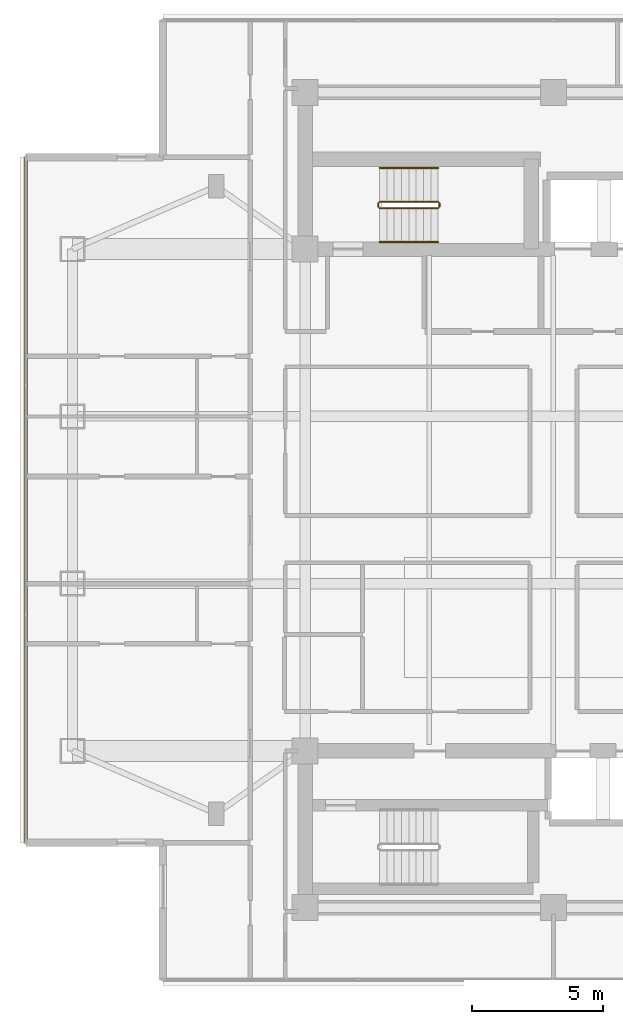
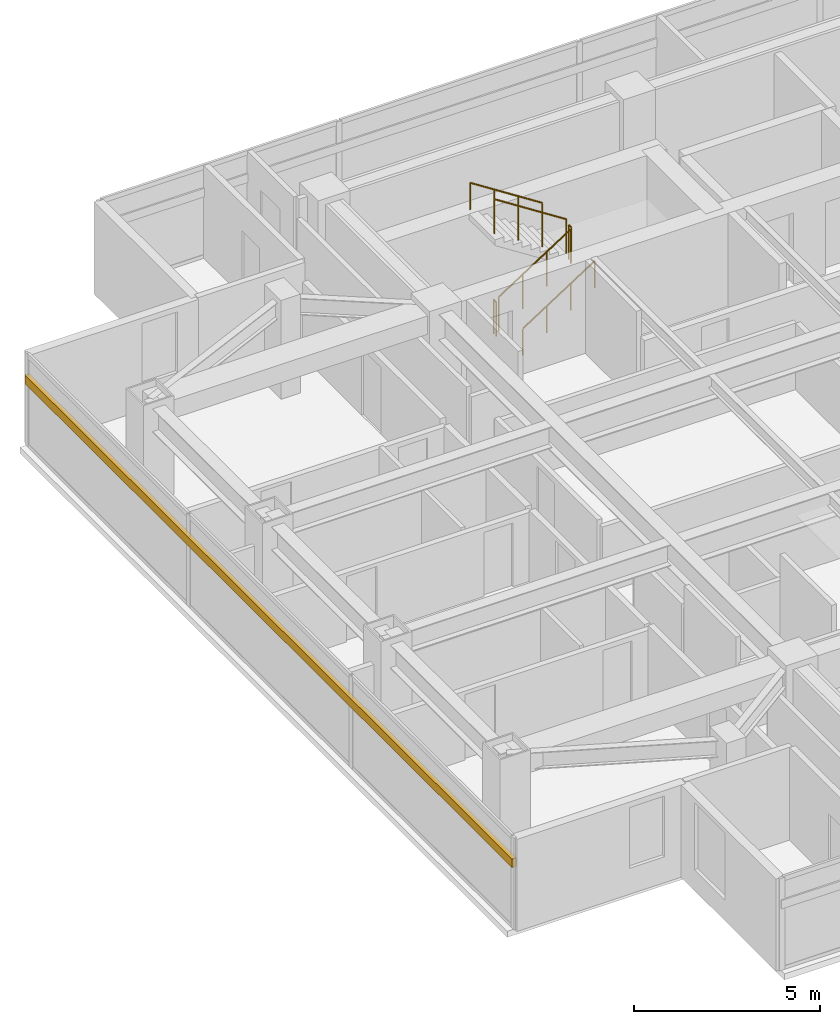
# One storey, part 20 of 24: 6 railings, 1 shading device.
"""IFC4 building model written with IfcOpenShell, lengths in metres."""

from ifc_helpers import new_model, si_unit, direction, frame, origin, origin_2d, place, context, subcontext, project, spatial, rectangle, circle, extrude, material, material_profile, profile_set, type_object, element, save


model = new_model("IFC4")

# Units and contexts
model_context = context("Model", 3, precision=1e-05, world=origin(), true_north=direction((0.0, 1.0)))
body_context = subcontext(model_context, "Body", "Model", "MODEL_VIEW")
ifc_project = project(units=[si_unit("LENGTHUNIT", "METRE"), si_unit("AREAUNIT", "SQUARE_METRE"), si_unit("VOLUMEUNIT", "CUBIC_METRE"), si_unit("PLANEANGLEUNIT", "RADIAN"), si_unit("MASSUNIT", "GRAM", prefix="KILO")], contexts=[model_context])

# Site, building, storey
site_placement = place(None, origin())
site = spatial("IfcSite", under=ifc_project, at=site_placement, CompositionType="ELEMENT")
building_placement = place(site_placement, origin())
building = spatial("IfcBuilding", under=site, at=building_placement, Name="Mirazonda Arch Towers", CompositionType="ELEMENT")
storey_placement = place(building_placement, frame((0.0, 0.0, 160.89990234375)))
storey = spatial("IfcBuildingStorey", under=building, at=storey_placement, Name="L45", CompositionType="ELEMENT", Elevation=160.89990234375)

# Shading device
ifc_material_1 = material(Name="Kiln-Fired Architectural Terracotta", Category="masonry")
ifc_material_profile = material_profile(ifc_material_1, rectangle(XDim=0.139892578125, YDim=0.280029296875, at=origin_2d()), Name="TERRA-BAG-140x280")
ifc_profile_set = profile_set([ifc_material_profile], Name="Kiln-Fired Architectural Terracotta")
shading_device_type = type_object("IfcShadingDeviceType", Name="BAGUETTE-3", PredefinedType="USERDEFINED", material=ifc_profile_set)
shading_device_placement = place(storey_placement, frame((0.31005859375, 41.12109375, 2.181640625), z_axis=(0.0, -1.0, 0.0), x_axis=(1.0, 0.0, 0.0)))
element("IfcShadingDevice", 1, at=shading_device_placement, inside=storey, type_object=shading_device_type, Name="L45 Glazed Terracotta Sun-Screen Baguette CW-L45-T1-W", ObjectType="BAGUETTE", PredefinedType="USERDEFINED", context=body_context, shape_type="SweptSolid", body=[
    extrude(rectangle(XDim=0.139892578125, YDim=0.280029296875, at=origin_2d()), origin(), (0.0, 0.0, 1.0), 26.2421875),
])

# Railings
ifc_material_2 = material(Name="Architectural Brushed Steel S355", Category="steel")
railing_type_1 = type_object("IfcRailingType", Name="GUARD-STAIR-1120", PredefinedType="GUARDRAIL", material=ifc_material_2)
railing_1_placement = place(storey_placement, frame((13.85009765625, 39.169921875, 0.1806640625)))
element("IfcRailing", 2, at=railing_1_placement, inside=storey, type_object=railing_type_1, Name="L45 ST-T1N stair guard 1", PredefinedType="GUARDRAIL", context=body_context, shape_type="SweptSolid", body=[
    extrude(circle(Radius=0.02392578125, at=origin_2d()), frame((0.0, 0.0, 1.1259765625), z_axis=(0.840436612492, 0.0, 0.541909863706), x_axis=(0.0, 1.0, 0.0)), (0.0, 0.0, 1.0), 2.665283203125),
    extrude(circle(Radius=0.02099609375, at=origin_2d()), origin(), (0.0, 0.0, 1.0), 1.101806640625),
    extrude(circle(Radius=0.02099609375, at=origin_2d()), frame((0.74658203125, 0.0, 0.4814453125)), (0.0, 0.0, 1.0), 1.101806640625),
    extrude(circle(Radius=0.02099609375, at=origin_2d()), frame((1.493408203125, 0.0, 0.962890625)), (0.0, 0.0, 1.0), 1.101806640625),
    extrude(circle(Radius=0.02099609375, at=origin_2d()), frame((2.239990234375, 0.0, 1.4443359375)), (0.0, 0.0, 1.0), 1.101806640625),
])
railing_2_placement = place(storey_placement, frame((16.139892578125, 39.219970703125, 1.625)))
element("IfcRailing", 3, at=railing_2_placement, inside=storey, type_object=railing_type_1, Name="L45 ST-T1N stair guard 2", PredefinedType="GUARDRAIL", context=body_context, shape_type="SweptSolid", body=[
    extrude(circle(Radius=0.02392578125, at=origin_2d()), frame((0.0, 0.0, 1.1259765625), z_axis=(0.0, 1.0, 0.0), x_axis=(-1.0, 0.0, 0.0)), (0.0, 0.0, 1.0), 0.14013671875),
    extrude(circle(Radius=0.02099609375, at=origin_2d()), origin(), (0.0, 0.0, 1.0), 1.101806640625),
    extrude(circle(Radius=0.02099609375, at=origin_2d()), frame((0.0, 0.14013671875, 0.0)), (0.0, 0.0, 1.0), 1.101806640625),
])
railing_3_placement = place(storey_placement, frame((16.090087890625, 39.409912109375, 1.8056640625)))
element("IfcRailing", 4, at=railing_3_placement, inside=storey, type_object=railing_type_1, Name="L45 ST-T1N stair guard 3", PredefinedType="GUARDRAIL", context=body_context, shape_type="SweptSolid", body=[
    extrude(circle(Radius=0.02392578125, at=origin_2d()), frame((0.0, 0.0, 1.1259765625), z_axis=(-0.840436612492, 0.0, 0.541909863706), x_axis=(0.0, -1.0, 0.0)), (0.0, 0.0, 1.0), 2.665283203125),
    extrude(circle(Radius=0.02099609375, at=origin_2d()), origin(), (0.0, 0.0, 1.0), 1.101806640625),
    extrude(circle(Radius=0.02099609375, at=origin_2d()), frame((-0.74658203125, 0.0, 0.4814453125)), (0.0, 0.0, 1.0), 1.101806640625),
    extrude(circle(Radius=0.02099609375, at=origin_2d()), frame((-1.493408203125, 0.0, 0.962890625)), (0.0, 0.0, 1.0), 1.101806640625),
    extrude(circle(Radius=0.02099609375, at=origin_2d()), frame((-2.239990234375, 0.0, 1.4443359375)), (0.0, 0.0, 1.0), 1.101806640625),
])
railing_4_placement = place(storey_placement, frame((13.800048828125, 39.219970703125, 0.0)))
element("IfcRailing", 5, at=railing_4_placement, inside=storey, type_object=railing_type_1, Name="L45 ST-T1N stair guard 4", PredefinedType="GUARDRAIL", context=body_context, shape_type="SweptSolid", body=[
    extrude(circle(Radius=0.02392578125, at=origin_2d()), frame((0.0, 0.0, 1.1259765625), z_axis=(0.0, 1.0, 0.0), x_axis=(-1.0, 0.0, 0.0)), (0.0, 0.0, 1.0), 0.14013671875),
    extrude(circle(Radius=0.02099609375, at=origin_2d()), origin(), (0.0, 0.0, 1.0), 1.101806640625),
    extrude(circle(Radius=0.02099609375, at=origin_2d()), frame((0.0, 0.14013671875, 0.0)), (0.0, 0.0, 1.0), 1.101806640625),
])
railing_type_2 = type_object("IfcRailingType", Name="HANDRAIL-915", PredefinedType="HANDRAIL", material=ifc_material_2)
railing_5_placement = place(storey_placement, frame((13.85009765625, 37.8701171875, 0.1806640625)))
element("IfcRailing", 6, at=railing_5_placement, inside=storey, type_object=railing_type_2, Name="L45 ST-T1N stair handrail 1", PredefinedType="HANDRAIL", context=body_context, shape_type="SweptSolid", body=[
    extrude(circle(Radius=0.02392578125, at=origin_2d()), frame((0.0, 0.0, 0.8759765625), z_axis=(0.840436612492, 0.0, 0.541909863706), x_axis=(0.0, 1.0, 0.0)), (0.0, 0.0, 1.0), 2.665283203125),
    extrude(circle(Radius=0.02099609375, at=origin_2d()), origin(), (0.0, 0.0, 1.0), 0.851806640625),
    extrude(circle(Radius=0.02099609375, at=origin_2d()), frame((0.74658203125, 0.0, 0.4814453125)), (0.0, 0.0, 1.0), 0.851806640625),
    extrude(circle(Radius=0.02099609375, at=origin_2d()), frame((1.493408203125, 0.0, 0.962890625)), (0.0, 0.0, 1.0), 0.851806640625),
    extrude(circle(Radius=0.02099609375, at=origin_2d()), frame((2.239990234375, 0.0, 1.4443359375)), (0.0, 0.0, 1.0), 0.851806640625),
])
railing_6_placement = place(storey_placement, frame((16.090087890625, 40.7099609375, 1.8056640625)))
element("IfcRailing", 7, at=railing_6_placement, inside=storey, type_object=railing_type_2, Name="L45 ST-T1N stair handrail 2", PredefinedType="HANDRAIL", context=body_context, shape_type="SweptSolid", body=[
    extrude(circle(Radius=0.02392578125, at=origin_2d()), frame((0.0, 0.0, 0.8759765625), z_axis=(-0.840436612492, 0.0, 0.541909863706), x_axis=(0.0, -1.0, 0.0)), (0.0, 0.0, 1.0), 2.665283203125),
    extrude(circle(Radius=0.02099609375, at=origin_2d()), origin(), (0.0, 0.0, 1.0), 0.851806640625),
    extrude(circle(Radius=0.02099609375, at=origin_2d()), frame((-0.74658203125, 0.0, 0.4814453125)), (0.0, 0.0, 1.0), 0.851806640625),
    extrude(circle(Radius=0.02099609375, at=origin_2d()), frame((-1.493408203125, 0.0, 0.962890625)), (0.0, 0.0, 1.0), 0.851806640625),
    extrude(circle(Radius=0.02099609375, at=origin_2d()), frame((-2.239990234375, 0.0, 1.4443359375)), (0.0, 0.0, 1.0), 0.851806640625),
])

save(model, "model.ifc")
